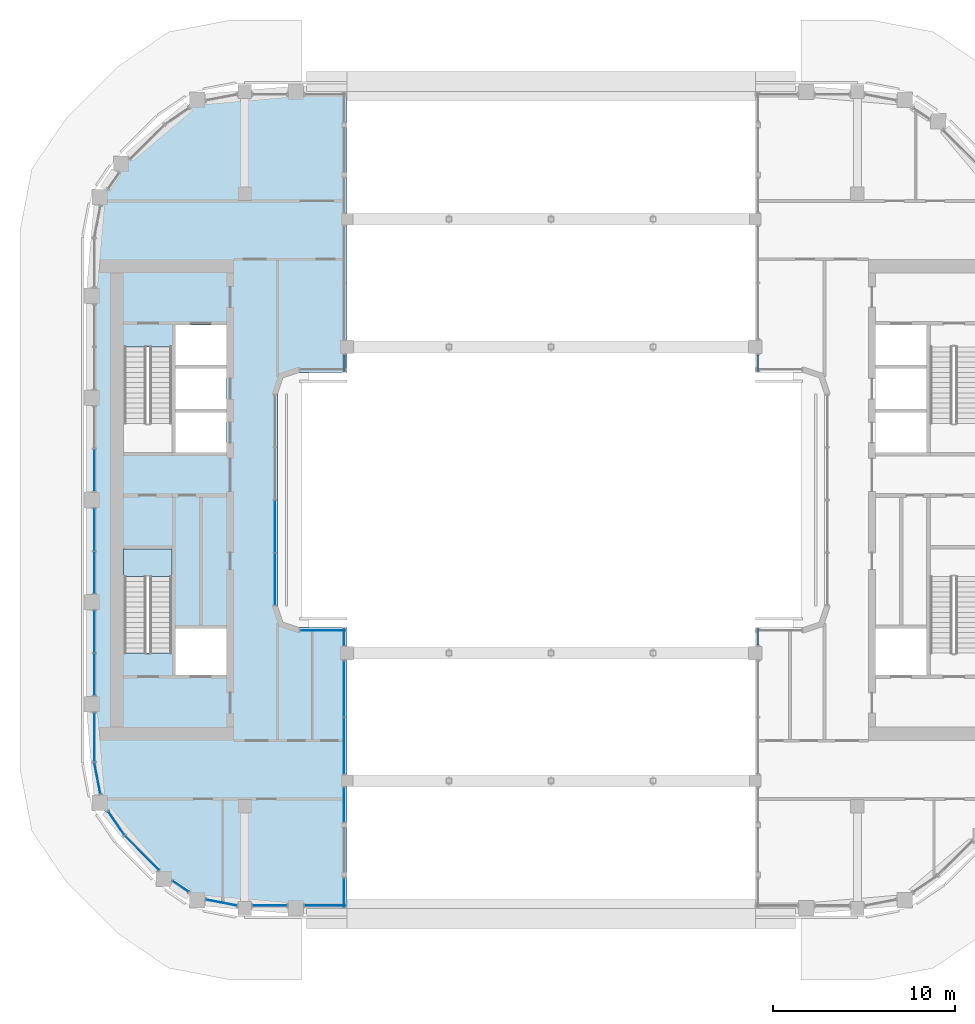
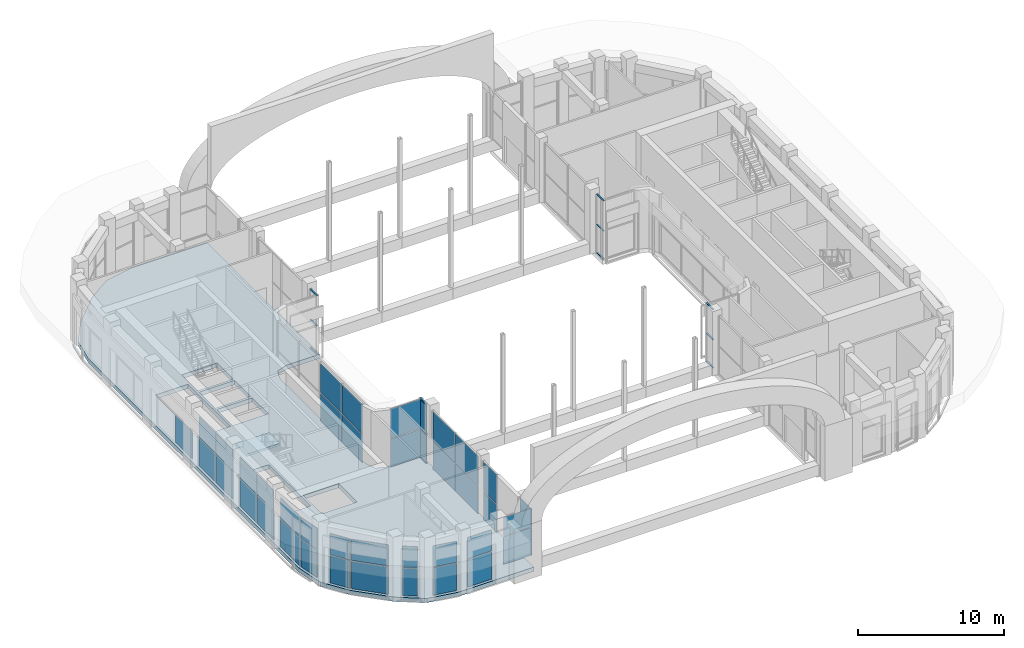
# One storey, part 11 of 26: 41 plates, 12 members, 2 slabs, 21 elements without a shape of their own.
"""IFC4 building model written with IfcOpenShell, lengths in metres."""

import ifcopenshell
import ifcopenshell.guid

model = None  # the IFC model being written
_history = None  # IfcOwnerHistory: only IFC2X3 demands one
_inside = {}  # id of a spatial element -> (the spatial element, [elements in it])
_under = {}  # id of a project, library or spatial element -> (it, [spatial elements below it])
_declared = {}  # id of a project -> (the project, [libraries it declares])
_typed = {}  # id of a type object -> (the type object, [elements of that type])
_made_of = {}  # id of a material, layer set ... -> (it, [elements and type objects made of it])


def new_model(schema):
    """Start an empty IFC model of exactly this schema.

    Asked for "IFC4X3", IfcOpenShell would pick the latest addendum, in which some entities
    have other attributes; the version numbers below select the first issue.
    IFC2X3 requires an IfcOwnerHistory on every rooted entity: one is made here for all.
    """
    global model, _history
    if schema == "IFC4X3":
        model = ifcopenshell.file(schema_version=(4, 3, 0, 0))
    else:
        model = ifcopenshell.file(schema=schema)
    _inside.clear()
    _under.clear()
    _declared.clear()
    _typed.clear()
    _made_of.clear()
    _history = None
    if model.schema == "IFC2X3":
        org = make("IfcOrganization", Name="unknown")
        user = make(
            "IfcPersonAndOrganization",
            ThePerson=make("IfcPerson", FamilyName="unknown"),
            TheOrganization=org,
        )
        app = make(
            "IfcApplication",
            ApplicationDeveloper=org,
            Version="unknown",
            ApplicationFullName="unknown",
            ApplicationIdentifier="unknown",
        )
        _history = make(
            "IfcOwnerHistory",
            OwningUser=user,
            OwningApplication=app,
            ChangeAction="ADDED",
            CreationDate=0,
        )
    return model


def make(cls, **values):
    """One entity of the class cls with the attributes given. An attribute that is None is left unset."""
    return model.create_entity(
        cls, **{name: value for name, value in values.items() if value is not None}
    )


def rooted(cls, **values):
    """An entity with a GlobalId (a new one), such as an element, a storey or a relation."""
    return make(cls, GlobalId=ifcopenshell.guid.new(), OwnerHistory=_history, **values)


def si_unit(unit_type, name, prefix=None):
    """IfcSIUnit, for example si_unit("LENGTHUNIT", "METRE", prefix="MILLI")."""
    return make("IfcSIUnit", UnitType=unit_type, Prefix=prefix, Name=name)


def assignment(units):
    """IfcUnitAssignment: the units of a project."""
    return None if units is None else make("IfcUnitAssignment", Units=units)


def point(xyz):
    """IfcCartesianPoint."""
    return None if xyz is None else make("IfcCartesianPoint", Coordinates=xyz)


def direction(xyz):
    """IfcDirection."""
    return None if xyz is None else make("IfcDirection", DirectionRatios=xyz)


def frame(location, z_axis=None, x_axis=None):
    """IfcAxis2Placement3D, a coordinate frame: its origin and axes. An axis left out is left unset."""
    return make(
        "IfcAxis2Placement3D",
        Location=point(location),
        Axis=direction(z_axis),
        RefDirection=direction(x_axis),
    )


def frame_2d(location, x_axis=None):
    """IfcAxis2Placement2D, a coordinate frame in the plane: its origin and x axis."""
    return make(
        "IfcAxis2Placement2D", Location=point(location), RefDirection=direction(x_axis)
    )


def origin():
    """The frame at (0, 0, 0) with its axes left unset."""
    return frame((0.0, 0.0, 0.0))


def origin_2d():
    """The frame at (0, 0) in the plane with its x axis left unset."""
    return frame_2d((0.0, 0.0))


def place(relative_to, where):
    """IfcLocalPlacement: puts the frame where relative to a parent placement (None: the world)."""
    return make(
        "IfcLocalPlacement", PlacementRelTo=relative_to, RelativePlacement=where
    )


def context(
    kind, dimensions, precision=None, world=None, true_north=None, identifier=None
):
    """IfcGeometricRepresentationContext, for example the 3D "Model" context."""
    return make(
        "IfcGeometricRepresentationContext",
        ContextIdentifier=identifier,
        ContextType=kind,
        CoordinateSpaceDimension=dimensions,
        Precision=precision,
        WorldCoordinateSystem=world,
        TrueNorth=true_north,
    )


def subcontext(parent, identifier, kind, view, scale=None):
    """IfcGeometricRepresentationSubContext, for example "Body" below "Model"."""
    return make(
        "IfcGeometricRepresentationSubContext",
        ContextIdentifier=identifier,
        ContextType=kind,
        ParentContext=parent,
        TargetScale=scale,
        TargetView=view,
    )


def project(units=None, contexts=None):
    """IfcProject with its units and contexts."""
    return rooted(
        "IfcProject",
        Name="project",
        RepresentationContexts=contexts,
        UnitsInContext=assignment(units),
    )


def spatial(cls, under=None, at=None, **own):
    """A site, building, storey or space (cls), placed at a placement, below another one or the project."""
    s = rooted(cls, ObjectPlacement=at, **own)
    if under is not None:
        _under.setdefault(under.id(), (under, []))[1].append(s)
    return s


def polyline(points):
    """IfcPolyline through the points."""
    return make("IfcPolyline", Points=[point(p) for p in points])


def profile(cls, at=None, kind="AREA", **sizes):
    """A parametric profile (cls). Its sizes go by their IFC names, for example OverallWidth=200.0."""
    return make(cls, ProfileType=kind, Position=at, **sizes)


def rectangle(**sizes):
    """IfcRectangleProfileDef."""
    return profile("IfcRectangleProfileDef", **sizes)


def outline(outer, holes=None, kind="AREA"):
    """IfcArbitraryClosedProfileDef: a profile drawn as a closed curve; with holes, ...WithVoids."""
    if holes is None:
        return make("IfcArbitraryClosedProfileDef", ProfileType=kind, OuterCurve=outer)
    return make(
        "IfcArbitraryProfileDefWithVoids",
        ProfileType=kind,
        OuterCurve=outer,
        InnerCurves=holes,
    )


def extrude(swept, where, along, depth):
    """IfcExtrudedAreaSolid: the profile swept, set in the frame where, extruded along a direction by depth."""
    return make(
        "IfcExtrudedAreaSolid",
        SweptArea=swept,
        Position=where,
        ExtrudedDirection=direction(along),
        Depth=depth,
    )


def shape(context_of_items, identifier, shape_type, items):
    """IfcShapeRepresentation: the items that make up one representation, for example the "Body"."""
    return make(
        "IfcShapeRepresentation",
        ContextOfItems=context_of_items,
        RepresentationIdentifier=identifier,
        RepresentationType=shape_type,
        Items=items,
    )


def material(Name=None, Category=None):
    """IfcMaterial."""
    return make("IfcMaterial", Name=Name, Category=Category)


def layer(
    of_material, thickness, ventilated=None, Name=None, Category=None, Priority=None
):
    """IfcMaterialLayer: one layer of a wall or slab, of a material (None: an air gap)."""
    return make(
        "IfcMaterialLayer",
        Material=of_material,
        LayerThickness=thickness,
        IsVentilated=ventilated,
        Name=Name,
        Category=Category,
        Priority=Priority,
    )


def layer_set(layers, Name=None):
    """IfcMaterialLayerSet."""
    return make("IfcMaterialLayerSet", MaterialLayers=layers, LayerSetName=Name)


def material_profile(
    of_material, cross_section, Name=None, Category=None, Priority=None
):
    """IfcMaterialProfile: a cross section and its material."""
    return make(
        "IfcMaterialProfile",
        Name=Name,
        Material=of_material,
        Profile=cross_section,
        Priority=Priority,
        Category=Category,
    )


def profile_set(profiles, Name=None, composite=None):
    """IfcMaterialProfileSet."""
    return make(
        "IfcMaterialProfileSet",
        Name=Name,
        MaterialProfiles=profiles,
        CompositeProfile=composite,
    )


def made_of(thing, what):
    """Note that an element or type object is made of a material, layer set ...; save() writes the relation."""
    if what is not None:
        _made_of.setdefault(what.id(), (what, []))[1].append(thing)
    return thing


def type_object(cls, material=None, **own):
    """A type object (cls), such as IfcWallType, which elements share."""
    return made_of(rooted(cls, **own), material)


def element(
    cls,
    number,
    at=None,
    inside=None,
    cuts=None,
    type_object=None,
    material=None,
    context=None,
    identifier="Body",
    shape_type=None,
    held_by="IfcProductDefinitionShape",
    body=None,
    shapes=None,
    **own,
):
    """One element of the class cls, such as IfcWall. Its Tag is "e" and its number.

    at: its placement. inside: the storey or other place that contains it. cuts: it is an
    opening in that element (IfcRelVoidsElement). A single representation is given by context,
    identifier, shape_type and body (its items); several are given by shapes. held_by: the class
    of the entity that holds the representations. save() writes the other relations.
    """
    e = rooted(cls, Tag="e%d" % number, ObjectPlacement=at, **own)
    if body is not None:
        shapes = [shape(context, identifier, shape_type, body)]
    if shapes is not None:
        e.Representation = make(held_by, Representations=shapes)
    if inside is not None:
        _inside.setdefault(inside.id(), (inside, []))[1].append(e)
    if cuts is not None:
        rooted(
            "IfcRelVoidsElement", RelatingBuildingElement=cuts, RelatedOpeningElement=e
        )
    if type_object is not None:
        _typed.setdefault(type_object.id(), (type_object, []))[1].append(e)
    return made_of(e, material)


def aggregate(whole, parts):
    """IfcRelAggregates: a whole, such as a stair, and the parts it consists of."""
    return rooted("IfcRelAggregates", RelatingObject=whole, RelatedObjects=parts)


def save(model, path):
    """Write the relations noted so far, then the file.

    IfcRelAggregates (storeys below a building ...), IfcRelContainedInSpatialStructure (elements
    in a storey), IfcRelDefinesByType, IfcRelAssociatesMaterial and IfcRelDeclares: one each for
    every whole, place, type object, material and project.
    """
    for whole, parts in _under.values():
        aggregate(whole, parts)
    for where, things in _inside.values():
        rooted(
            "IfcRelContainedInSpatialStructure",
            RelatedElements=things,
            RelatingStructure=where,
        )
    for kind, things in _typed.values():
        rooted("IfcRelDefinesByType", RelatedObjects=things, RelatingType=kind)
    for what, things in _made_of.values():
        rooted("IfcRelAssociatesMaterial", RelatedObjects=things, RelatingMaterial=what)
    for by, libraries in _declared.values():
        rooted("IfcRelDeclares", RelatingContext=by, RelatedDefinitions=libraries)
    model.write(path)


model = new_model("IFC4")

# Units and contexts
model_context = context("Model", 3, precision=1e-05, world=origin(), true_north=direction((0.0, 1.0)))
body_context = subcontext(model_context, "Body", "Model", "MODEL_VIEW")
ifc_project = project(units=[si_unit("LENGTHUNIT", "METRE"), si_unit("AREAUNIT", "SQUARE_METRE"), si_unit("VOLUMEUNIT", "CUBIC_METRE"), si_unit("PLANEANGLEUNIT", "RADIAN"), si_unit("MASSUNIT", "GRAM", prefix="KILO")], contexts=[model_context])

# Site, building, storey
site_placement = place(None, origin())
site = spatial("IfcSite", under=ifc_project, at=site_placement, CompositionType="ELEMENT")
building_placement = place(site_placement, origin())
building = spatial("IfcBuilding", under=site, at=building_placement, Name="Kiln Ring Residences", CompositionType="ELEMENT")
storey_placement = place(building_placement, frame((0.0, 0.0, 230.89990234375)))
storey = spatial("IfcBuildingStorey", under=building, at=storey_placement, Name="L60", CompositionType="ELEMENT", Elevation=230.89990234375)

# Curtain wall, members
ifc_material_1 = material(Name="Aluminium and glass", Category="aluminium")
ifc_layer_1 = layer(ifc_material_1, 0.199951171875)
ifc_layer_set_1 = layer_set([ifc_layer_1], Name="CW1 CURTAIN WALL")
curtain_wall_type = type_object("IfcCurtainWallType", Name="CW1 CURTAIN WALL", PredefinedType="NOTDEFINED", material=ifc_layer_set_1)
placement = place(storey_placement, origin())
curtain_wall_1 = element("IfcCurtainWall", 1, at=placement, inside=storey, type_object=curtain_wall_type, Name="Curtain wall CW1 L60", PredefinedType="NOTDEFINED")
ifc_material_2 = material(Name="Aluminium 6063-T6", Category="aluminium")
ifc_material_profile = material_profile(ifc_material_2, rectangle(XDim=0.1201171875, YDim=0.06005859375, at=origin_2d()), Name="AL 120x60")
ifc_profile_set = profile_set([ifc_material_profile], Name="Aluminium 6063-T6")
member_type = type_object("IfcMemberType", Name="CW1 TRANSOM 120 x 60", PredefinedType="USERDEFINED", material=ifc_profile_set)
member_1_placement = place(storey_placement, frame((-11.35009765625, -7.965087890625, 0.030029296875), z_axis=(0.0, 1.0, 0.0), x_axis=(-1.0, 0.0, 0.0)))
member_1 = element("IfcMember", 2, at=member_1_placement, type_object=member_type, Name="CW1 transom 1.1", ObjectType="TRANSOM", PredefinedType="USERDEFINED", context=body_context, shape_type="SweptSolid", body=[
    extrude(rectangle(XDim=0.1201171875, YDim=0.06005859375, at=origin_2d()), origin(), (0.0, 0.0, 1.0), 0.905029296875),
])
member_2_placement = place(storey_placement, frame((-11.35009765625, -7.965087890625, 2.400146484375), z_axis=(0.0, 1.0, 0.0), x_axis=(-1.0, 0.0, 0.0)))
member_2 = element("IfcMember", 3, at=member_2_placement, type_object=member_type, Name="CW1 transom 1.2", ObjectType="TRANSOM", PredefinedType="USERDEFINED", context=body_context, shape_type="SweptSolid", body=[
    extrude(rectangle(XDim=0.1201171875, YDim=0.06005859375, at=origin_2d()), origin(), (0.0, 0.0, 1.0), 0.905029296875),
])
member_3_placement = place(storey_placement, frame((-11.35009765625, -7.965087890625, 4.920166015625), z_axis=(0.0, 1.0, 0.0), x_axis=(-1.0, 0.0, 0.0)))
member_3 = element("IfcMember", 4, at=member_3_placement, type_object=member_type, Name="CW1 transom 1.3", ObjectType="TRANSOM", PredefinedType="USERDEFINED", context=body_context, shape_type="SweptSolid", body=[
    extrude(rectangle(XDim=0.1201171875, YDim=0.06005859375, at=origin_2d()), origin(), (0.0, 0.0, 1.0), 0.905029296875),
])

curtain_wall_2 = element("IfcCurtainWall", 5, at=placement, inside=storey, type_object=curtain_wall_type, Name="Curtain wall CW1 L60", PredefinedType="NOTDEFINED")
member_4_placement = place(storey_placement, frame((-11.35009765625, 7.06005859375, 0.030029296875), z_axis=(0.0, 1.0, 0.0), x_axis=(-1.0, 0.0, 0.0)))
member_4 = element("IfcMember", 6, at=member_4_placement, type_object=member_type, Name="CW1 transom 1.1", ObjectType="TRANSOM", PredefinedType="USERDEFINED", context=body_context, shape_type="SweptSolid", body=[
    extrude(rectangle(XDim=0.1201171875, YDim=0.06005859375, at=origin_2d()), origin(), (0.0, 0.0, 1.0), 0.905029296875),
])
member_5_placement = place(storey_placement, frame((-11.35009765625, 7.06005859375, 2.400146484375), z_axis=(0.0, 1.0, 0.0), x_axis=(-1.0, 0.0, 0.0)))
member_5 = element("IfcMember", 7, at=member_5_placement, type_object=member_type, Name="CW1 transom 1.2", ObjectType="TRANSOM", PredefinedType="USERDEFINED", context=body_context, shape_type="SweptSolid", body=[
    extrude(rectangle(XDim=0.1201171875, YDim=0.06005859375, at=origin_2d()), origin(), (0.0, 0.0, 1.0), 0.905029296875),
])
member_6_placement = place(storey_placement, frame((-11.35009765625, 7.06005859375, 4.920166015625), z_axis=(0.0, 1.0, 0.0), x_axis=(-1.0, 0.0, 0.0)))
member_6 = element("IfcMember", 8, at=member_6_placement, type_object=member_type, Name="CW1 transom 1.3", ObjectType="TRANSOM", PredefinedType="USERDEFINED", context=body_context, shape_type="SweptSolid", body=[
    extrude(rectangle(XDim=0.1201171875, YDim=0.06005859375, at=origin_2d()), origin(), (0.0, 0.0, 1.0), 0.905029296875),
])
aggregate(curtain_wall_2, [member_4, member_5, member_6])

curtain_wall_3 = element("IfcCurtainWall", 9, at=placement, inside=storey, type_object=curtain_wall_type, Name="Curtain wall CW1 L60", PredefinedType="NOTDEFINED")
member_7_placement = place(storey_placement, frame((11.35009765625, -7.06005859375, 0.030029296875), z_axis=(0.0, -1.0, 0.0), x_axis=(1.0, 0.0, 0.0)))
member_7 = element("IfcMember", 10, at=member_7_placement, type_object=member_type, Name="CW1 transom 1.1", ObjectType="TRANSOM", PredefinedType="USERDEFINED", context=body_context, shape_type="SweptSolid", body=[
    extrude(rectangle(XDim=0.1201171875, YDim=0.06005859375, at=origin_2d()), origin(), (0.0, 0.0, 1.0), 0.905029296875),
])
member_8_placement = place(storey_placement, frame((11.35009765625, -7.06005859375, 2.400146484375), z_axis=(0.0, -1.0, 0.0), x_axis=(1.0, 0.0, 0.0)))
member_8 = element("IfcMember", 11, at=member_8_placement, type_object=member_type, Name="CW1 transom 1.2", ObjectType="TRANSOM", PredefinedType="USERDEFINED", context=body_context, shape_type="SweptSolid", body=[
    extrude(rectangle(XDim=0.1201171875, YDim=0.06005859375, at=origin_2d()), origin(), (0.0, 0.0, 1.0), 0.905029296875),
])
member_9_placement = place(storey_placement, frame((11.35009765625, -7.06005859375, 4.920166015625), z_axis=(0.0, -1.0, 0.0), x_axis=(1.0, 0.0, 0.0)))
member_9 = element("IfcMember", 12, at=member_9_placement, type_object=member_type, Name="CW1 transom 1.3", ObjectType="TRANSOM", PredefinedType="USERDEFINED", context=body_context, shape_type="SweptSolid", body=[
    extrude(rectangle(XDim=0.1201171875, YDim=0.06005859375, at=origin_2d()), origin(), (0.0, 0.0, 1.0), 0.905029296875),
])
aggregate(curtain_wall_3, [member_7, member_8, member_9])

curtain_wall_4 = element("IfcCurtainWall", 13, at=placement, inside=storey, type_object=curtain_wall_type, Name="Curtain wall CW1 L60", PredefinedType="NOTDEFINED")
member_10_placement = place(storey_placement, frame((11.35009765625, 7.965087890625, 0.030029296875), z_axis=(0.0, -1.0, 0.0), x_axis=(1.0, 0.0, 0.0)))
member_10 = element("IfcMember", 14, at=member_10_placement, type_object=member_type, Name="CW1 transom 1.1", ObjectType="TRANSOM", PredefinedType="USERDEFINED", context=body_context, shape_type="SweptSolid", body=[
    extrude(rectangle(XDim=0.1201171875, YDim=0.06005859375, at=origin_2d()), origin(), (0.0, 0.0, 1.0), 0.905029296875),
])
member_11_placement = place(storey_placement, frame((11.35009765625, 7.965087890625, 2.400146484375), z_axis=(0.0, -1.0, 0.0), x_axis=(1.0, 0.0, 0.0)))
member_11 = element("IfcMember", 15, at=member_11_placement, type_object=member_type, Name="CW1 transom 1.2", ObjectType="TRANSOM", PredefinedType="USERDEFINED", context=body_context, shape_type="SweptSolid", body=[
    extrude(rectangle(XDim=0.1201171875, YDim=0.06005859375, at=origin_2d()), origin(), (0.0, 0.0, 1.0), 0.905029296875),
])
member_12_placement = place(storey_placement, frame((11.35009765625, 7.965087890625, 4.920166015625), z_axis=(0.0, -1.0, 0.0), x_axis=(1.0, 0.0, 0.0)))
member_12 = element("IfcMember", 16, at=member_12_placement, type_object=member_type, Name="CW1 transom 1.3", ObjectType="TRANSOM", PredefinedType="USERDEFINED", context=body_context, shape_type="SweptSolid", body=[
    extrude(rectangle(XDim=0.1201171875, YDim=0.06005859375, at=origin_2d()), origin(), (0.0, 0.0, 1.0), 0.905029296875),
])
aggregate(curtain_wall_4, [member_10, member_11, member_12])

# Stair, slab
ifc_material_3 = material(Name="Concrete C40/50", Category="concrete")
stair_type = type_object("IfcStairType", Name="CORE-STAIR", PredefinedType="HALF_TURN_STAIR", material=ifc_material_3)
stair = element("IfcStair", 17, at=placement, inside=storey, type_object=stair_type, Name="L60 stair W-STS", PredefinedType="HALF_TURN_STAIR")
ifc_material_4 = material(Name="Concrete C40/50", Category="concrete")
ifc_layer_2 = layer(ifc_material_4, 0.199951171875)
ifc_layer_set_2 = layer_set([ifc_layer_2], Name="CORE-STAIR-LANDING")
slab_type_1 = type_object("IfcSlabType", Name="CORE-STAIR-LANDING", PredefinedType="LANDING", material=ifc_layer_set_2)
slab_1_placement = place(storey_placement, frame((0.0, 0.0, 2.5)))
slab_1 = element("IfcSlab", 18, at=slab_1_placement, type_object=slab_type_1, Name="W-STS landing 1", PredefinedType="LANDING", context=body_context, shape_type="SweptSolid", body=[
    extrude(outline(polyline([(-20.800048828125, -4.199951171875), (-20.800048828125, -2.699951171875), (-23.449951171875, -2.699951171875), (-23.449951171875, -4.199951171875), (-20.800048828125, -4.199951171875)])), origin(), (0.0, 0.0, 1.0), 0.2001953125),
])
aggregate(stair, [slab_1])

# Curtain wall, plates
curtain_wall_5 = element("IfcCurtainWall", 19, at=placement, inside=storey, type_object=curtain_wall_type, Name="Curtain wall CW1 L60", PredefinedType="NOTDEFINED")
ifc_material_5 = material(Name="Glass, low-e laminated", Category="glass")
ifc_layer_3 = layer(ifc_material_5, 0.028076171875)
ifc_layer_set_3 = layer_set([ifc_layer_3], Name="CW1 PANEL 28")
plate_type = type_object("IfcPlateType", Name="CW1 PANEL 28", PredefinedType="CURTAIN_PANEL", material=ifc_layer_set_3)
plate_1_placement = place(storey_placement, frame((-24.881103515625, -15.271240234375, 0.06005859375), z_axis=(0.0, 0.0, 1.0), x_axis=(0.187365550124, -0.982290257829, 0.0)))
plate_1 = element("IfcPlate", 20, at=plate_1_placement, type_object=plate_type, Name="CW1 panel 1.1", PredefinedType="CURTAIN_PANEL", context=body_context, shape_type="SweptSolid", body=[
    extrude(rectangle(XDim=1.711181640625, YDim=0.028076171875, at=origin_2d()), origin(), (0.0, 0.0, 1.0), 2.31005859375),
])
plate_2_placement = place(storey_placement, frame((-24.881103515625, -15.271240234375, 2.43017578125), z_axis=(0.0, 0.0, 1.0), x_axis=(0.187365550124, -0.982290257829, 0.0)))
plate_2 = element("IfcPlate", 21, at=plate_2_placement, type_object=plate_type, Name="CW1 panel 1.2", PredefinedType="CURTAIN_PANEL", context=body_context, shape_type="SweptSolid", body=[
    extrude(rectangle(XDim=1.711181640625, YDim=0.028076171875, at=origin_2d()), origin(), (0.0, 0.0, 1.0), 1.760009765625),
])
aggregate(curtain_wall_5, [plate_1, plate_2])

curtain_wall_6 = element("IfcCurtainWall", 22, at=placement, inside=storey, type_object=curtain_wall_type, Name="Curtain wall CW1 L60", PredefinedType="NOTDEFINED")
plate_3_placement = place(storey_placement, frame((-23.847412109375, -17.72314453125, 0.06005859375), z_axis=(0.0, 0.0, 1.0), x_axis=(0.562096651033, -0.827071553674, 0.0)))
plate_3 = element("IfcPlate", 23, at=plate_3_placement, type_object=plate_type, Name="CW1 panel 1.1", PredefinedType="CURTAIN_PANEL", context=body_context, shape_type="SweptSolid", body=[
    extrude(rectangle(XDim=1.54736328125, YDim=0.028076171875, at=origin_2d()), origin(), (0.0, 0.0, 1.0), 2.31005859375),
])
plate_4_placement = place(storey_placement, frame((-23.847412109375, -17.72314453125, 2.43017578125), z_axis=(0.0, 0.0, 1.0), x_axis=(0.562096651033, -0.827071553674, 0.0)))
plate_4 = element("IfcPlate", 24, at=plate_4_placement, type_object=plate_type, Name="CW1 panel 1.2", PredefinedType="CURTAIN_PANEL", context=body_context, shape_type="SweptSolid", body=[
    extrude(rectangle(XDim=1.54736328125, YDim=0.028076171875, at=origin_2d()), origin(), (0.0, 0.0, 1.0), 1.760009765625),
])
aggregate(curtain_wall_6, [plate_3, plate_4])

curtain_wall_7 = element("IfcCurtainWall", 25, at=placement, inside=storey, type_object=curtain_wall_type, Name="Curtain wall CW1 L60", PredefinedType="NOTDEFINED")
plate_5_placement = place(storey_placement, frame((-22.425048828125, -19.36279296875, 0.06005859375), z_axis=(0.0, 0.0, 1.0), x_axis=(0.707106781187, -0.707106781187, 0.0)))
plate_5 = element("IfcPlate", 26, at=plate_5_placement, type_object=plate_type, Name="CW1 panel 1.1", PredefinedType="CURTAIN_PANEL", context=body_context, shape_type="SweptSolid", body=[
    extrude(rectangle(XDim=2.62890625, YDim=0.028076171875, at=origin_2d()), origin(), (0.0, 0.0, 1.0), 2.31005859375),
])
plate_6_placement = place(storey_placement, frame((-22.425048828125, -19.36279296875, 2.43017578125), z_axis=(0.0, 0.0, 1.0), x_axis=(0.707106781187, -0.707106781187, 0.0)))
plate_6 = element("IfcPlate", 27, at=plate_6_placement, type_object=plate_type, Name="CW1 panel 1.2", PredefinedType="CURTAIN_PANEL", context=body_context, shape_type="SweptSolid", body=[
    extrude(rectangle(XDim=2.62890625, YDim=0.028076171875, at=origin_2d()), origin(), (0.0, 0.0, 1.0), 1.760009765625),
])
aggregate(curtain_wall_7, [plate_5, plate_6])

curtain_wall_8 = element("IfcCurtainWall", 28, at=placement, inside=storey, type_object=curtain_wall_type, Name="Curtain wall CW1 L60", PredefinedType="NOTDEFINED")
plate_7_placement = place(storey_placement, frame((-20.314697265625, -21.189208984375, 0.06005859375), z_axis=(0.0, 0.0, 1.0), x_axis=(0.82707155387, -0.562096650745, 0.0)))
plate_7 = element("IfcPlate", 29, at=plate_7_placement, type_object=plate_type, Name="CW1 panel 1.1", PredefinedType="CURTAIN_PANEL", context=body_context, shape_type="SweptSolid", body=[
    extrude(rectangle(XDim=1.04345703125, YDim=0.028076171875, at=origin_2d()), origin(), (0.0, 0.0, 1.0), 2.31005859375),
])
plate_8_placement = place(storey_placement, frame((-20.314697265625, -21.189208984375, 2.43017578125), z_axis=(0.0, 0.0, 1.0), x_axis=(0.82707155387, -0.562096650745, 0.0)))
plate_8 = element("IfcPlate", 30, at=plate_8_placement, type_object=plate_type, Name="CW1 panel 1.2", PredefinedType="CURTAIN_PANEL", context=body_context, shape_type="SweptSolid", body=[
    extrude(rectangle(XDim=1.04345703125, YDim=0.028076171875, at=origin_2d()), origin(), (0.0, 0.0, 1.0), 1.760009765625),
])
aggregate(curtain_wall_8, [plate_7, plate_8])

curtain_wall_9 = element("IfcCurtainWall", 31, at=placement, inside=storey, type_object=curtain_wall_type, Name="Curtain wall CW1 L60", PredefinedType="NOTDEFINED")
plate_9_placement = place(storey_placement, frame((-18.07275390625, -22.080810546875, 0.06005859375), z_axis=(0.0, 0.0, 1.0), x_axis=(0.982290257836, -0.18736555009, 0.0)))
plate_9 = element("IfcPlate", 32, at=plate_9_placement, type_object=plate_type, Name="CW1 panel 1.1", PredefinedType="CURTAIN_PANEL", context=body_context, shape_type="SweptSolid", body=[
    extrude(rectangle(XDim=1.7080078125, YDim=0.028076171875, at=origin_2d()), origin(), (0.0, 0.0, 1.0), 2.31005859375),
])
plate_10_placement = place(storey_placement, frame((-18.07275390625, -22.080810546875, 2.43017578125), z_axis=(0.0, 0.0, 1.0), x_axis=(0.982290257836, -0.18736555009, 0.0)))
plate_10 = element("IfcPlate", 33, at=plate_10_placement, type_object=plate_type, Name="CW1 panel 1.2", PredefinedType="CURTAIN_PANEL", context=body_context, shape_type="SweptSolid", body=[
    extrude(rectangle(XDim=1.7080078125, YDim=0.028076171875, at=origin_2d()), origin(), (0.0, 0.0, 1.0), 1.760009765625),
])
aggregate(curtain_wall_9, [plate_9, plate_10])

curtain_wall_10 = element("IfcCurtainWall", 34, at=placement, inside=storey, type_object=curtain_wall_type, Name="Curtain wall CW1 L60", PredefinedType="NOTDEFINED")
plate_11_placement = place(storey_placement, frame((-15.425048828125, -22.25, 0.06005859375), z_axis=(0.0, 0.0, 1.0), x_axis=(1.0, 0.0, 0.0)))
plate_11 = element("IfcPlate", 35, at=plate_11_placement, type_object=plate_type, Name="CW1 panel 1.1", PredefinedType="CURTAIN_PANEL", context=body_context, shape_type="SweptSolid", body=[
    extrude(rectangle(XDim=1.8798828125, YDim=0.028076171875, at=origin_2d()), origin(), (0.0, 0.0, 1.0), 2.31005859375),
])
plate_12_placement = place(storey_placement, frame((-15.425048828125, -22.25, 2.43017578125), z_axis=(0.0, 0.0, 1.0), x_axis=(1.0, 0.0, 0.0)))
plate_12 = element("IfcPlate", 36, at=plate_12_placement, type_object=plate_type, Name="CW1 panel 1.2", PredefinedType="CURTAIN_PANEL", context=body_context, shape_type="SweptSolid", body=[
    extrude(rectangle(XDim=1.8798828125, YDim=0.028076171875, at=origin_2d()), origin(), (0.0, 0.0, 1.0), 1.760009765625),
])
aggregate(curtain_wall_10, [plate_11, plate_12])

curtain_wall_11 = element("IfcCurtainWall", 37, at=placement, inside=storey, type_object=curtain_wall_type, Name="Curtain wall CW1 L60", PredefinedType="NOTDEFINED")
plate_13_placement = place(storey_placement, frame((-12.387451171875, -22.25, 0.9599609375), z_axis=(0.0, 0.0, 1.0), x_axis=(1.0, 0.0, 0.0)))
plate_13 = element("IfcPlate", 38, at=plate_13_placement, type_object=plate_type, Name="CW1 panel 1.1", PredefinedType="CURTAIN_PANEL", context=body_context, shape_type="SweptSolid", body=[
    extrude(rectangle(XDim=2.2548828125, YDim=0.028076171875, at=origin_2d()), origin(), (0.0, 0.0, 1.0), 2.31005859375),
])
plate_14_placement = place(storey_placement, frame((-12.387451171875, -22.25, 3.330078125), z_axis=(0.0, 0.0, 1.0), x_axis=(1.0, 0.0, 0.0)))
plate_14 = element("IfcPlate", 39, at=plate_14_placement, type_object=plate_type, Name="CW1 panel 1.2", PredefinedType="CURTAIN_PANEL", context=body_context, shape_type="SweptSolid", body=[
    extrude(rectangle(XDim=2.2548828125, YDim=0.028076171875, at=origin_2d()), origin(), (0.0, 0.0, 1.0), 1.56005859375),
])
aggregate(curtain_wall_11, [plate_13, plate_14])

curtain_wall_12 = element("IfcCurtainWall", 40, at=placement, inside=storey, type_object=curtain_wall_type, Name="Curtain wall CW1 L60", PredefinedType="NOTDEFINED")
plate_15_placement = place(storey_placement, frame((-11.35009765625, -21.550048828125, 0.9599609375), z_axis=(0.0, 0.0, 1.0), x_axis=(0.0, 1.0, 0.0)))
plate_15 = element("IfcPlate", 41, at=plate_15_placement, type_object=plate_type, Name="CW1 panel 1.1", PredefinedType="CURTAIN_PANEL", context=body_context, shape_type="SweptSolid", body=[
    extrude(rectangle(XDim=1.580078125, YDim=0.028076171875, at=origin_2d()), origin(), (0.0, 0.0, 1.0), 2.31005859375),
])
plate_16_placement = place(storey_placement, frame((-11.35009765625, -21.550048828125, 3.330078125), z_axis=(0.0, 0.0, 1.0), x_axis=(0.0, 1.0, 0.0)))
plate_16 = element("IfcPlate", 42, at=plate_16_placement, type_object=plate_type, Name="CW1 panel 1.2", PredefinedType="CURTAIN_PANEL", context=body_context, shape_type="SweptSolid", body=[
    extrude(rectangle(XDim=1.580078125, YDim=0.028076171875, at=origin_2d()), origin(), (0.0, 0.0, 1.0), 1.56005859375),
])
aggregate(curtain_wall_12, [plate_15, plate_16])

curtain_wall_13 = element("IfcCurtainWall", 43, at=placement, inside=storey, type_object=curtain_wall_type, Name="Curtain wall CW1 L60", PredefinedType="NOTDEFINED")
plate_17_placement = place(storey_placement, frame((-11.35009765625, -16.71240234375, 0.06005859375), z_axis=(0.0, 0.0, 1.0), x_axis=(0.0, 1.0, 0.0)))
plate_17 = element("IfcPlate", 44, at=plate_17_placement, type_object=plate_type, Name="CW1 panel 1.1", PredefinedType="CURTAIN_PANEL", context=body_context, shape_type="SweptSolid", body=[
    extrude(rectangle(XDim=1.85498046875, YDim=0.028076171875, at=origin_2d()), origin(), (0.0, 0.0, 1.0), 2.31005859375),
])
plate_18_placement = place(storey_placement, frame((-11.35009765625, -16.71240234375, 2.43017578125), z_axis=(0.0, 0.0, 1.0), x_axis=(0.0, 1.0, 0.0)))
plate_18 = element("IfcPlate", 45, at=plate_18_placement, type_object=plate_type, Name="CW1 panel 1.2", PredefinedType="CURTAIN_PANEL", context=body_context, shape_type="SweptSolid", body=[
    extrude(rectangle(XDim=1.85498046875, YDim=0.028076171875, at=origin_2d()), origin(), (0.0, 0.0, 1.0), 2.4599609375),
])
aggregate(curtain_wall_13, [plate_17, plate_18])

curtain_wall_14 = element("IfcCurtainWall", 46, at=placement, inside=storey, type_object=curtain_wall_type, Name="Curtain wall CW1 L60", PredefinedType="NOTDEFINED")
plate_19_placement = place(storey_placement, frame((-11.35009765625, -13.485107421875, 0.06005859375), z_axis=(0.0, 0.0, 1.0), x_axis=(0.0, 1.0, 0.0)))
plate_19 = element("IfcPlate", 47, at=plate_19_placement, type_object=plate_type, Name="CW1 panel 1.1", PredefinedType="CURTAIN_PANEL", context=body_context, shape_type="SweptSolid", body=[
    extrude(rectangle(XDim=3.06005859375, YDim=0.028076171875, at=origin_2d()), origin(), (0.0, 0.0, 1.0), 2.31005859375),
])
plate_20_placement = place(storey_placement, frame((-11.35009765625, -13.485107421875, 2.43017578125), z_axis=(0.0, 0.0, 1.0), x_axis=(0.0, 1.0, 0.0)))
plate_20 = element("IfcPlate", 48, at=plate_20_placement, type_object=plate_type, Name="CW1 panel 1.2", PredefinedType="CURTAIN_PANEL", context=body_context, shape_type="SweptSolid", body=[
    extrude(rectangle(XDim=3.06005859375, YDim=0.028076171875, at=origin_2d()), origin(), (0.0, 0.0, 1.0), 2.4599609375),
])
plate_21_placement = place(storey_placement, frame((-11.35009765625, -10.364990234375, 0.06005859375), z_axis=(0.0, 0.0, 1.0), x_axis=(0.0, 1.0, 0.0)))
plate_21 = element("IfcPlate", 49, at=plate_21_placement, type_object=plate_type, Name="CW1 panel 2.1", PredefinedType="CURTAIN_PANEL", context=body_context, shape_type="SweptSolid", body=[
    extrude(rectangle(XDim=3.06005859375, YDim=0.028076171875, at=origin_2d()), origin(), (0.0, 0.0, 1.0), 2.31005859375),
])
plate_22_placement = place(storey_placement, frame((-11.35009765625, -10.364990234375, 2.43017578125), z_axis=(0.0, 0.0, 1.0), x_axis=(0.0, 1.0, 0.0)))
plate_22 = element("IfcPlate", 50, at=plate_22_placement, type_object=plate_type, Name="CW1 panel 2.2", PredefinedType="CURTAIN_PANEL", context=body_context, shape_type="SweptSolid", body=[
    extrude(rectangle(XDim=3.06005859375, YDim=0.028076171875, at=origin_2d()), origin(), (0.0, 0.0, 1.0), 2.4599609375),
])
aggregate(curtain_wall_14, [plate_19, plate_20, plate_21, plate_22])

# Plate
plate_23_placement = place(storey_placement, frame((-11.35009765625, -7.512451171875, 0.06005859375), z_axis=(0.0, 0.0, 1.0), x_axis=(0.0, 1.0, 0.0)))
plate_23 = element("IfcPlate", 51, at=plate_23_placement, type_object=plate_type, Name="CW1 panel 1.1", PredefinedType="CURTAIN_PANEL", context=body_context, shape_type="SweptSolid", body=[
    extrude(rectangle(XDim=0.905029296875, YDim=0.028076171875, at=origin_2d()), origin(), (0.0, 0.0, 1.0), 2.31005859375),
])

plate_24_placement = place(storey_placement, frame((-11.35009765625, -7.512451171875, 2.43017578125), z_axis=(0.0, 0.0, 1.0), x_axis=(0.0, 1.0, 0.0)))
plate_24 = element("IfcPlate", 52, at=plate_24_placement, type_object=plate_type, Name="CW1 panel 1.2", PredefinedType="CURTAIN_PANEL", context=body_context, shape_type="SweptSolid", body=[
    extrude(rectangle(XDim=0.905029296875, YDim=0.028076171875, at=origin_2d()), origin(), (0.0, 0.0, 1.0), 2.4599609375),
])

aggregate(curtain_wall_1, [member_1, member_2, member_3, plate_23, plate_24])

# Curtain wall, plates
curtain_wall_15 = element("IfcCurtainWall", 53, at=placement, inside=storey, type_object=curtain_wall_type, Name="Curtain wall CW1 L60", PredefinedType="NOTDEFINED")
plate_25_placement = place(storey_placement, frame((-12.5, -7.14990234375, 0.06005859375), z_axis=(0.0, 0.0, 1.0), x_axis=(-1.0, 0.0, 0.0)))
plate_25 = element("IfcPlate", 54, at=plate_25_placement, type_object=plate_type, Name="CW1 panel 1.1", PredefinedType="CURTAIN_PANEL", context=body_context, shape_type="SweptSolid", body=[
    extrude(rectangle(XDim=2.47998046875, YDim=0.028076171875, at=origin_2d()), origin(), (0.0, 0.0, 1.0), 2.31005859375),
])
plate_26_placement = place(storey_placement, frame((-12.5, -7.14990234375, 2.43017578125), z_axis=(0.0, 0.0, 1.0), x_axis=(-1.0, 0.0, 0.0)))
plate_26 = element("IfcPlate", 55, at=plate_26_placement, type_object=plate_type, Name="CW1 panel 1.2", PredefinedType="CURTAIN_PANEL", context=body_context, shape_type="SweptSolid", body=[
    extrude(rectangle(XDim=2.47998046875, YDim=0.028076171875, at=origin_2d()), origin(), (0.0, 0.0, 1.0), 2.4599609375),
])
aggregate(curtain_wall_15, [plate_25, plate_26])

curtain_wall_16 = element("IfcCurtainWall", 56, at=placement, inside=storey, type_object=curtain_wall_type, Name="Curtain wall CW1 L60", PredefinedType="NOTDEFINED")
plate_27_placement = place(storey_placement, frame((-15.14990234375, -4.3349609375, 0.06005859375), z_axis=(0.0, 0.0, 1.0), x_axis=(0.0, 1.0, 0.0)))
plate_27 = element("IfcPlate", 57, at=plate_27_placement, type_object=plate_type, Name="CW1 panel 1.1", PredefinedType="CURTAIN_PANEL", context=body_context, shape_type="SweptSolid", body=[
    extrude(rectangle(XDim=2.81005859375, YDim=0.028076171875, at=origin_2d()), origin(), (0.0, 0.0, 1.0), 2.31005859375),
])
plate_28_placement = place(storey_placement, frame((-15.14990234375, -4.3349609375, 2.43017578125), z_axis=(0.0, 0.0, 1.0), x_axis=(0.0, 1.0, 0.0)))
plate_28 = element("IfcPlate", 58, at=plate_28_placement, type_object=plate_type, Name="CW1 panel 1.2", PredefinedType="CURTAIN_PANEL", context=body_context, shape_type="SweptSolid", body=[
    extrude(rectangle(XDim=2.81005859375, YDim=0.028076171875, at=origin_2d()), origin(), (0.0, 0.0, 1.0), 2.4599609375),
])
plate_29_placement = place(storey_placement, frame((-15.14990234375, -1.449951171875, 0.06005859375), z_axis=(0.0, 0.0, 1.0), x_axis=(0.0, 1.0, 0.0)))
plate_29 = element("IfcPlate", 59, at=plate_29_placement, type_object=plate_type, Name="CW1 panel 2.1", PredefinedType="CURTAIN_PANEL", context=body_context, shape_type="SweptSolid", body=[
    extrude(rectangle(XDim=2.840087890625, YDim=0.028076171875, at=origin_2d()), origin(), (0.0, 0.0, 1.0), 2.31005859375),
])
plate_30_placement = place(storey_placement, frame((-15.14990234375, -1.449951171875, 2.43017578125), z_axis=(0.0, 0.0, 1.0), x_axis=(0.0, 1.0, 0.0)))
plate_30 = element("IfcPlate", 60, at=plate_30_placement, type_object=plate_type, Name="CW1 panel 2.2", PredefinedType="CURTAIN_PANEL", context=body_context, shape_type="SweptSolid", body=[
    extrude(rectangle(XDim=2.840087890625, YDim=0.028076171875, at=origin_2d()), origin(), (0.0, 0.0, 1.0), 2.4599609375),
])
aggregate(curtain_wall_16, [plate_27, plate_28, plate_29, plate_30])

# Curtain wall, plate
curtain_wall_17 = element("IfcCurtainWall", 61, at=placement, inside=storey, type_object=curtain_wall_type, Name="Curtain wall CW1 L60", PredefinedType="NOTDEFINED")
plate_31_placement = place(storey_placement, frame((-25.050048828125, 1.62744140625, 0.06005859375), z_axis=(0.0, 0.0, 1.0), x_axis=(0.0, -1.0, 0.0)))
plate_31 = element("IfcPlate", 62, at=plate_31_placement, type_object=plate_type, Name="CW1 panel 2.1", PredefinedType="CURTAIN_PANEL", context=body_context, shape_type="SweptSolid", body=[
    extrude(rectangle(XDim=2.284912109375, YDim=0.028076171875, at=origin_2d()), origin(), (0.0, 0.0, 1.0), 2.31005859375),
])
aggregate(curtain_wall_17, [plate_31])

# Curtain wall, plates
curtain_wall_18 = element("IfcCurtainWall", 63, at=placement, inside=storey, type_object=curtain_wall_type, Name="Curtain wall CW1 L60", PredefinedType="NOTDEFINED")
plate_32_placement = place(storey_placement, frame((-25.050048828125, -1.62744140625, 0.06005859375), z_axis=(0.0, 0.0, 1.0), x_axis=(0.0, -1.0, 0.0)))
plate_32 = element("IfcPlate", 64, at=plate_32_placement, type_object=plate_type, Name="CW1 panel 1.1", PredefinedType="CURTAIN_PANEL", context=body_context, shape_type="SweptSolid", body=[
    extrude(rectangle(XDim=2.284912109375, YDim=0.028076171875, at=origin_2d()), origin(), (0.0, 0.0, 1.0), 2.31005859375),
])
plate_33_placement = place(storey_placement, frame((-25.050048828125, -1.62744140625, 2.43017578125), z_axis=(0.0, 0.0, 1.0), x_axis=(0.0, -1.0, 0.0)))
plate_33 = element("IfcPlate", 65, at=plate_33_placement, type_object=plate_type, Name="CW1 panel 1.2", PredefinedType="CURTAIN_PANEL", context=body_context, shape_type="SweptSolid", body=[
    extrude(rectangle(XDim=2.284912109375, YDim=0.028076171875, at=origin_2d()), origin(), (0.0, 0.0, 1.0), 1.760009765625),
])
plate_34_placement = place(storey_placement, frame((-25.050048828125, -3.972412109375, 0.06005859375), z_axis=(0.0, 0.0, 1.0), x_axis=(0.0, -1.0, 0.0)))
plate_34 = element("IfcPlate", 66, at=plate_34_placement, type_object=plate_type, Name="CW1 panel 2.1", PredefinedType="CURTAIN_PANEL", context=body_context, shape_type="SweptSolid", body=[
    extrude(rectangle(XDim=2.284912109375, YDim=0.028076171875, at=origin_2d()), origin(), (0.0, 0.0, 1.0), 2.31005859375),
])
plate_35_placement = place(storey_placement, frame((-25.050048828125, -3.972412109375, 2.43017578125), z_axis=(0.0, 0.0, 1.0), x_axis=(0.0, -1.0, 0.0)))
plate_35 = element("IfcPlate", 67, at=plate_35_placement, type_object=plate_type, Name="CW1 panel 2.2", PredefinedType="CURTAIN_PANEL", context=body_context, shape_type="SweptSolid", body=[
    extrude(rectangle(XDim=2.284912109375, YDim=0.028076171875, at=origin_2d()), origin(), (0.0, 0.0, 1.0), 1.760009765625),
])
aggregate(curtain_wall_18, [plate_32, plate_33, plate_34, plate_35])

curtain_wall_19 = element("IfcCurtainWall", 68, at=placement, inside=storey, type_object=curtain_wall_type, Name="Curtain wall CW1 L60", PredefinedType="NOTDEFINED")
plate_36_placement = place(storey_placement, frame((-25.050048828125, -7.2275390625, 0.06005859375), z_axis=(0.0, 0.0, 1.0), x_axis=(0.0, -1.0, 0.0)))
plate_36 = element("IfcPlate", 69, at=plate_36_placement, type_object=plate_type, Name="CW1 panel 1.1", PredefinedType="CURTAIN_PANEL", context=body_context, shape_type="SweptSolid", body=[
    extrude(rectangle(XDim=2.284912109375, YDim=0.028076171875, at=origin_2d()), origin(), (0.0, 0.0, 1.0), 2.31005859375),
])
plate_37_placement = place(storey_placement, frame((-25.050048828125, -7.2275390625, 2.43017578125), z_axis=(0.0, 0.0, 1.0), x_axis=(0.0, -1.0, 0.0)))
plate_37 = element("IfcPlate", 70, at=plate_37_placement, type_object=plate_type, Name="CW1 panel 1.2", PredefinedType="CURTAIN_PANEL", context=body_context, shape_type="SweptSolid", body=[
    extrude(rectangle(XDim=2.284912109375, YDim=0.028076171875, at=origin_2d()), origin(), (0.0, 0.0, 1.0), 1.760009765625),
])
plate_38_placement = place(storey_placement, frame((-25.050048828125, -9.572509765625, 0.06005859375), z_axis=(0.0, 0.0, 1.0), x_axis=(0.0, -1.0, 0.0)))
plate_38 = element("IfcPlate", 71, at=plate_38_placement, type_object=plate_type, Name="CW1 panel 2.1", PredefinedType="CURTAIN_PANEL", context=body_context, shape_type="SweptSolid", body=[
    extrude(rectangle(XDim=2.284912109375, YDim=0.028076171875, at=origin_2d()), origin(), (0.0, 0.0, 1.0), 2.31005859375),
])
plate_39_placement = place(storey_placement, frame((-25.050048828125, -9.572509765625, 2.43017578125), z_axis=(0.0, 0.0, 1.0), x_axis=(0.0, -1.0, 0.0)))
plate_39 = element("IfcPlate", 72, at=plate_39_placement, type_object=plate_type, Name="CW1 panel 2.2", PredefinedType="CURTAIN_PANEL", context=body_context, shape_type="SweptSolid", body=[
    extrude(rectangle(XDim=2.284912109375, YDim=0.028076171875, at=origin_2d()), origin(), (0.0, 0.0, 1.0), 1.760009765625),
])
aggregate(curtain_wall_19, [plate_36, plate_37, plate_38, plate_39])

curtain_wall_20 = element("IfcCurtainWall", 73, at=placement, inside=storey, type_object=curtain_wall_type, Name="Curtain wall CW1 L60", PredefinedType="NOTDEFINED")
plate_40_placement = place(storey_placement, frame((-25.050048828125, -13.012451171875, 0.06005859375), z_axis=(0.0, 0.0, 1.0), x_axis=(0.0, -1.0, 0.0)))
plate_40 = element("IfcPlate", 74, at=plate_40_placement, type_object=plate_type, Name="CW1 panel 1.1", PredefinedType="CURTAIN_PANEL", context=body_context, shape_type="SweptSolid", body=[
    extrude(rectangle(XDim=2.655029296875, YDim=0.028076171875, at=origin_2d()), origin(), (0.0, 0.0, 1.0), 2.31005859375),
])
plate_41_placement = place(storey_placement, frame((-25.050048828125, -13.012451171875, 2.43017578125), z_axis=(0.0, 0.0, 1.0), x_axis=(0.0, -1.0, 0.0)))
plate_41 = element("IfcPlate", 75, at=plate_41_placement, type_object=plate_type, Name="CW1 panel 1.2", PredefinedType="CURTAIN_PANEL", context=body_context, shape_type="SweptSolid", body=[
    extrude(rectangle(XDim=2.655029296875, YDim=0.028076171875, at=origin_2d()), origin(), (0.0, 0.0, 1.0), 1.760009765625),
])
aggregate(curtain_wall_20, [plate_40, plate_41])

# Slab
ifc_material_6 = material(Name="Concrete C40/50", Category="concrete")
ifc_layer_4 = layer(ifc_material_6, 0.35009765625)
ifc_layer_set_4 = layer_set([ifc_layer_4], Name="Floor slab 350")
slab_type_2 = type_object("IfcSlabType", Name="Floor slab 350", PredefinedType="FLOOR", material=ifc_layer_set_4)
slab_2_placement = place(storey_placement, frame((0.0, 0.0, -0.349853515625)))
element("IfcSlab", 76, at=slab_2_placement, inside=storey, type_object=slab_type_2, Name="Floor slab L60 1", PredefinedType="FLOOR", context=body_context, shape_type="SweptSolid", body=[
    extrude(outline(polyline([(-25.199951171875, -14.39990234375), (-24.775634765625, -16.624267578125), (-23.5029296875, -18.4970703125), (-21.297119140625, -20.702880859375), (-19.42431640625, -21.975830078125), (-17.199951171875, -22.39990234375), (-11.199951171875, -22.39990234375), (-11.199951171875, -7.0), (-13.800048828125, -7.0), (-14.699951171875, -6.699951171875), (-15.0, -5.800048828125), (-15.0, 5.800048828125), (-14.699951171875, 6.699951171875), (-13.800048828125, 7.0), (-11.199951171875, 7.0), (-11.199951171875, 22.39990234375), (-17.199951171875, 22.39990234375), (-19.42431640625, 21.975830078125), (-21.297119140625, 20.702880859375), (-23.5029296875, 18.4970703125), (-24.775634765625, 16.624267578125), (-25.199951171875, 14.39990234375), (-25.199951171875, -14.39990234375)]), holes=[polyline([(-17.800048828125, -7.050048828125), (-17.800048828125, -9.60009765625), (-20.60009765625, -9.60009765625), (-20.60009765625, -7.050048828125), (-17.800048828125, -7.050048828125)]), polyline([(-17.800048828125, 2.60009765625), (-20.60009765625, 2.60009765625), (-20.60009765625, 4.800048828125), (-17.800048828125, 4.800048828125), (-17.800048828125, 2.60009765625)]), polyline([(-17.800048828125, 5.0), (-20.60009765625, 5.0), (-20.60009765625, 7.199951171875), (-17.800048828125, 7.199951171875), (-17.800048828125, 5.0)]), polyline([(-17.800048828125, 7.39990234375), (-20.60009765625, 7.39990234375), (-20.60009765625, 9.60009765625), (-17.800048828125, 9.60009765625), (-17.800048828125, 7.39990234375)]), polyline([(-20.800048828125, -8.39794921875), (-23.39990234375, -8.39794921875), (-23.39990234375, -2.699951171875), (-20.800048828125, -2.699951171875), (-20.800048828125, -8.39794921875)]), polyline([(-20.800048828125, 8.39794921875), (-20.800048828125, 2.60009765625), (-23.39990234375, 2.60009765625), (-23.39990234375, 8.39794921875), (-20.800048828125, 8.39794921875)])]), origin(), (0.0, 0.0, 1.0), 0.349853515625),
])

save(model, "model.ifc")
